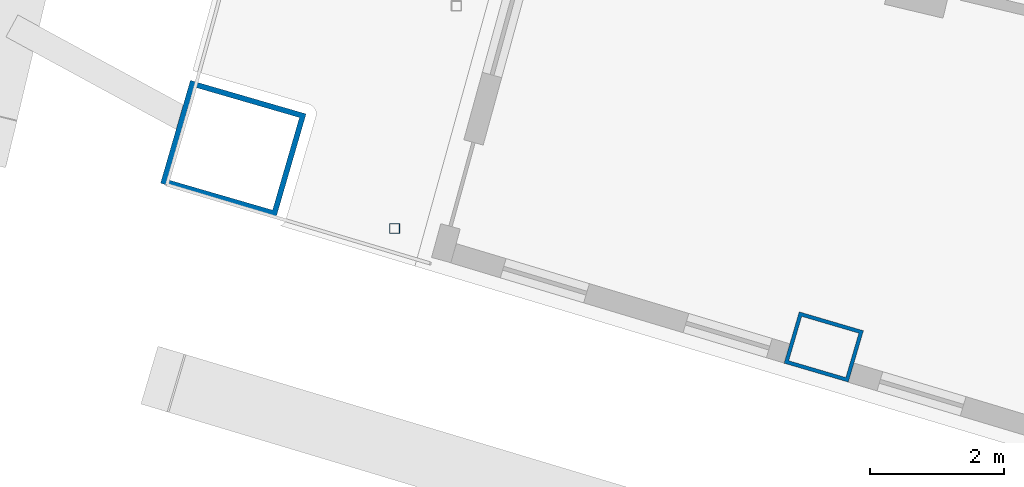
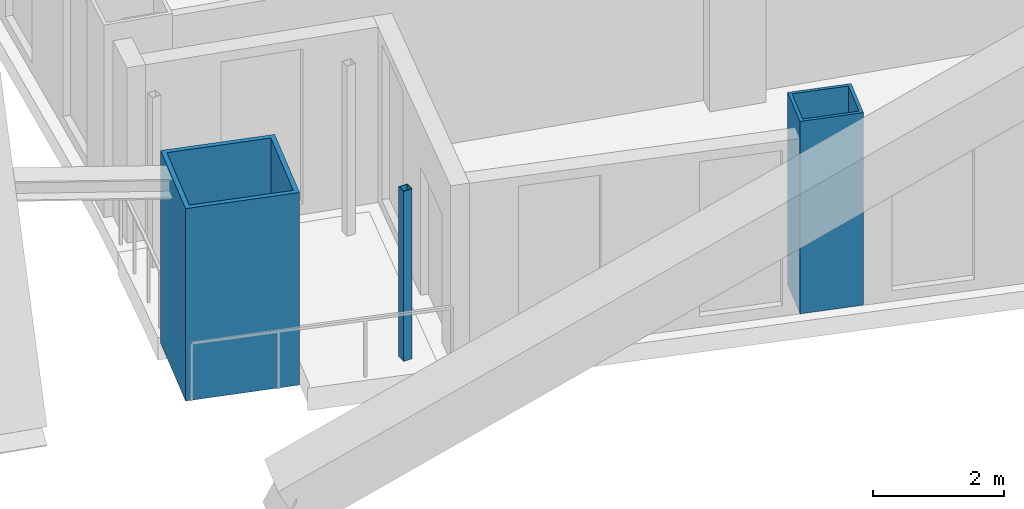
# One storey, part 1 of 22: 3 columns.
"""IFC4 building model written with IfcOpenShell, lengths in metres."""

from ifc_helpers import new_model, si_unit, direction, frame, origin, origin_2d, place, context, subcontext, project, spatial, hollow_rectangle, extrude, material, material_profile, profile_set, type_object, element, save


model = new_model("IFC4")

# Units and contexts
model_context = context("Model", 3, precision=1e-05, world=origin(), true_north=direction((0.0, 1.0)))
body_context = subcontext(model_context, "Body", "Model", "MODEL_VIEW")
ifc_project = project(units=[si_unit("LENGTHUNIT", "METRE"), si_unit("AREAUNIT", "SQUARE_METRE"), si_unit("VOLUMEUNIT", "CUBIC_METRE"), si_unit("PLANEANGLEUNIT", "RADIAN"), si_unit("MASSUNIT", "GRAM", prefix="KILO")], contexts=[model_context])

# Site, building, storey
site_placement = place(None, origin())
site = spatial("IfcSite", under=ifc_project, at=site_placement, CompositionType="ELEMENT")
building_placement = place(site_placement, origin())
building = spatial("IfcBuilding", under=site, at=building_placement, Name="Alderwake Tower", CompositionType="ELEMENT")
storey_placement = place(building_placement, frame((0.0, 0.0, 160.39990234375)))
storey = spatial("IfcBuildingStorey", under=building, at=storey_placement, Name="L39", CompositionType="ELEMENT", Elevation=160.39990234375)

# Columns
ifc_material_1 = material(Name="Steel ASTM A572 Grade 50 concrete filled C70/85", Category="concrete")
ifc_material_profile_1 = material_profile(ifc_material_1, hollow_rectangle(XDim=0.800048828125, YDim=1.0, WallThickness=0.054931640625, at=origin_2d()), Name="BOX 1000X800X55")
ifc_profile_set_1 = profile_set([ifc_material_profile_1], Name="Steel ASTM A572 Grade 50 concrete filled C70/85")
column_type_1 = type_object("IfcColumnType", Name="End column Z3", PredefinedType="COLUMN", material=ifc_profile_set_1)
column_1_placement = place(storey_placement, frame((21.885498046875, 31.03759765625, 0.0), z_axis=(0.0, 0.0, 1.0), x_axis=(0.282132160283, 0.95937554906, 0.0)))
element("IfcColumn", 1, at=column_1_placement, inside=storey, type_object=column_type_1, Name="Column R02-C1", PredefinedType="COLUMN", context=body_context, shape_type="SweptSolid", body=[
    extrude(hollow_rectangle(XDim=0.800048828125, YDim=1.0, WallThickness=0.054931640625, at=origin_2d()), origin(), (0.0, 0.0, 1.0), 3.60009765625),
])
ifc_material_2 = material(Name="Steel ASTM A500 Grade C", Category="steel")
ifc_material_profile_2 = material_profile(ifc_material_2, hollow_rectangle(XDim=0.15234375, YDim=0.15234375, WallThickness=0.0087890625, at=origin_2d()), Name="HSS6X6X3/8")
ifc_profile_set_2 = profile_set([ifc_material_profile_2], Name="Steel ASTM A500 Grade C")
column_type_2 = type_object("IfcColumnType", Name="Light post HSS6X6X3/8", PredefinedType="COLUMN", material=ifc_profile_set_2)
column_2_placement = place(storey_placement, frame((15.47412109375, 32.805908203125, 0.0), z_axis=(0.0, 0.0, 1.0), x_axis=(1.0, 0.0, 0.0)))
element("IfcColumn", 2, at=column_2_placement, inside=storey, type_object=column_type_2, Name="Terrace post RS2", PredefinedType="COLUMN", context=body_context, shape_type="SweptSolid", body=[
    extrude(hollow_rectangle(XDim=0.15234375, YDim=0.15234375, WallThickness=0.0087890625, at=origin_2d()), origin(), (0.0, 0.0, 1.0), 3.18017578125),
])
ifc_material_3 = material(Name="Steel ASTM A572 Grade 50 concrete filled C70/85", Category="concrete")
ifc_material_profile_3 = material_profile(ifc_material_3, hollow_rectangle(XDim=1.60009765625, YDim=1.800048828125, WallThickness=0.080078125, at=origin_2d()), Name="BOX 1800X1600X80")
ifc_profile_set_3 = profile_set([ifc_material_profile_3], Name="Steel ASTM A572 Grade 50 concrete filled C70/85")
column_type_3 = type_object("IfcColumnType", Name="Mega column Z3", PredefinedType="COLUMN", material=ifc_profile_set_3)
column_3_placement = place(storey_placement, frame((13.06298828125, 34.00244140625, 0.0), z_axis=(0.0, 0.0, 1.0), x_axis=(0.278612301868, 0.960403657452, 0.0)))
element("IfcColumn", 3, at=column_3_placement, inside=storey, type_object=column_type_3, Name="Column R02-C0", PredefinedType="COLUMN", context=body_context, shape_type="SweptSolid", body=[
    extrude(hollow_rectangle(XDim=1.60009765625, YDim=1.800048828125, WallThickness=0.080078125, at=origin_2d()), origin(), (0.0, 0.0, 1.0), 3.60009765625),
])

save(model, "model.ifc")
